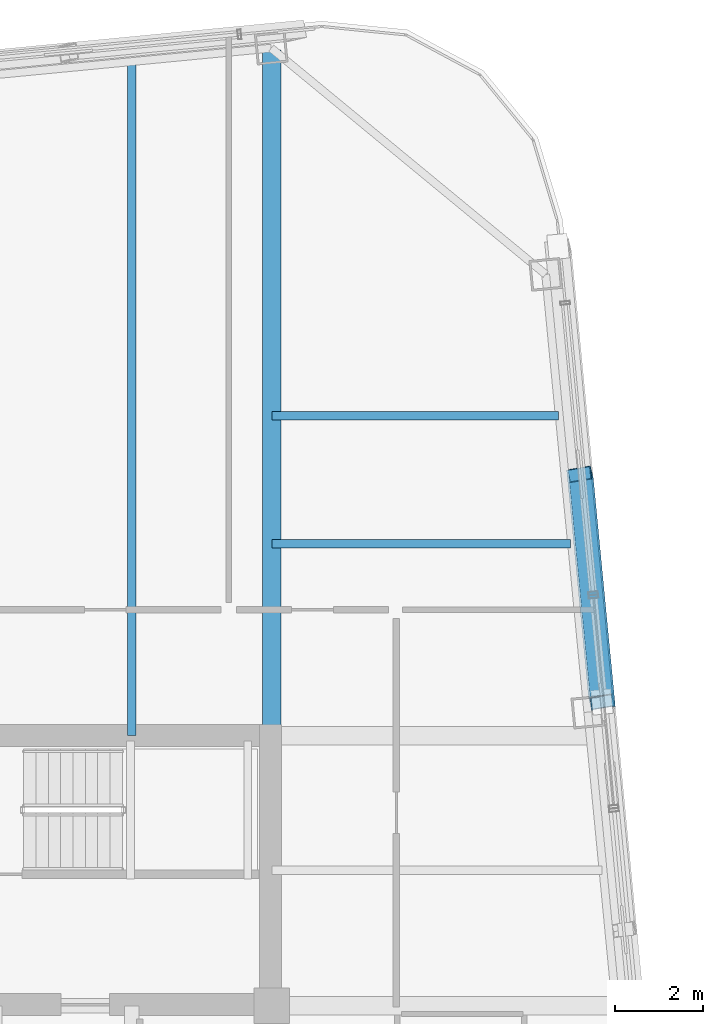
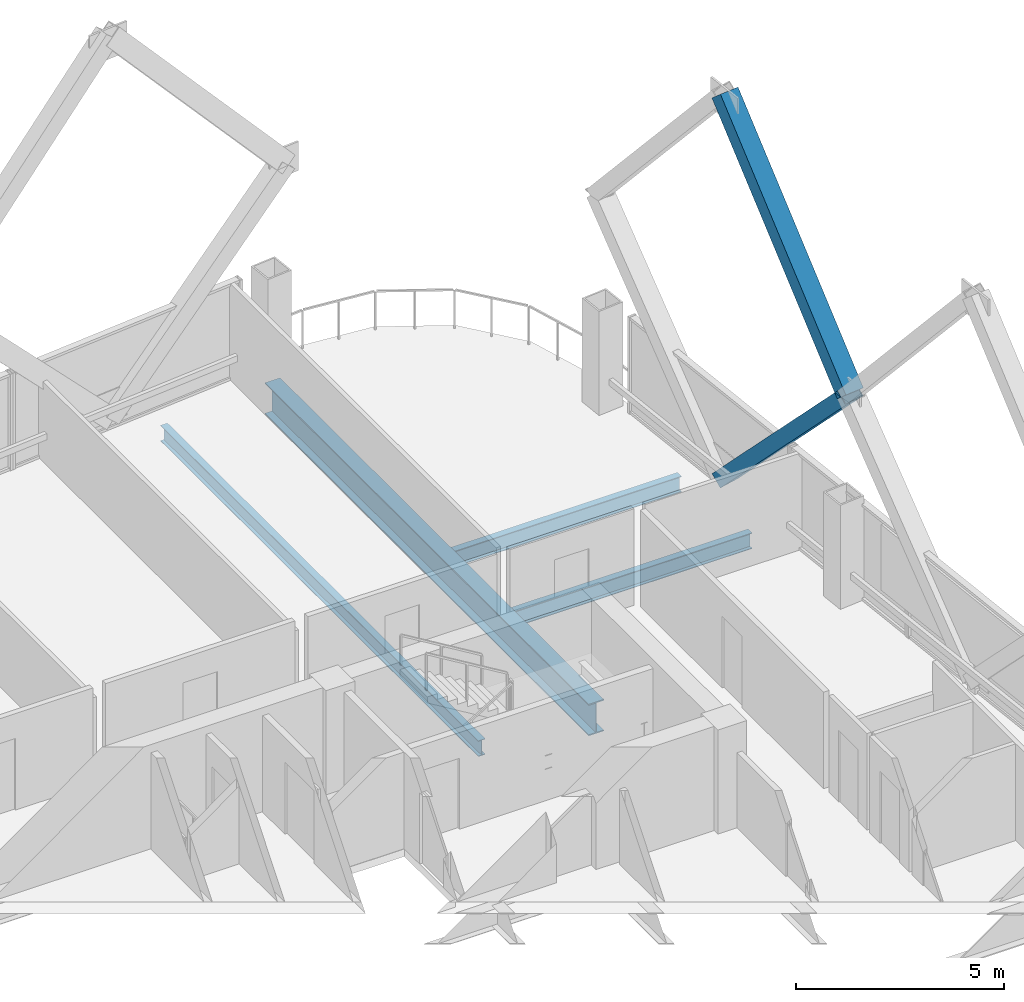
# One storey, part 25 of 34: 4 beams, 2 members.
"""IFC4 building model written with IfcOpenShell, lengths in metres."""

from ifc_helpers import new_model, si_unit, direction, frame, origin, origin_2d, place, context, subcontext, project, spatial, hollow_rectangle, i_section, extrude, material, material_profile, profile_set, type_object, element, save


model = new_model("IFC4")

# Units and contexts
model_context = context("Model", 3, precision=1e-05, world=origin(), true_north=direction((0.0, 1.0)))
body_context = subcontext(model_context, "Body", "Model", "MODEL_VIEW")
ifc_project = project(units=[si_unit("LENGTHUNIT", "METRE"), si_unit("AREAUNIT", "SQUARE_METRE"), si_unit("VOLUMEUNIT", "CUBIC_METRE"), si_unit("PLANEANGLEUNIT", "RADIAN"), si_unit("MASSUNIT", "GRAM", prefix="KILO")], contexts=[model_context])

# Site, building, storey
site_placement = place(None, origin())
site = spatial("IfcSite", under=ifc_project, at=site_placement, CompositionType="ELEMENT")
building_placement = place(site_placement, origin())
building = spatial("IfcBuilding", under=site, at=building_placement, Name="Qhalaya Broadcast Tower", CompositionType="ELEMENT")
storey_placement = place(building_placement, frame((0.0, 0.0, 168.35009765625)))
storey = spatial("IfcBuildingStorey", under=building, at=storey_placement, Name="L49", CompositionType="ELEMENT", Elevation=168.35009765625)

# Beams
ifc_material_1 = material(Name="Structural Steel ASTM A992 Grade 50", Category="steel")
ifc_material_profile_1 = material_profile(ifc_material_1, i_section(OverallWidth=0.19189453125, OverallDepth=0.462890625, WebThickness=0.010498046875, FlangeThickness=0.017578125, at=origin_2d()), Name="W18X60")
ifc_profile_set_1 = profile_set([ifc_material_profile_1], Name="Structural Steel ASTM A992 Grade 50")
beam_type_1 = type_object("IfcBeamType", Name="Composite Floor Joist J03", PredefinedType="JOIST", material=ifc_profile_set_1)
beam_1_placement = place(storey_placement, frame((6.199951171875, 9.949951171875, -0.45166015625), z_axis=(0.0, 1.0, 0.0), x_axis=(-1.0, 0.0, 0.0)))
element("IfcBeam", 1, at=beam_1_placement, inside=storey, type_object=beam_type_1, Name="L49 J03 L49-JNN5-1", PredefinedType="JOIST", context=body_context, shape_type="SweptSolid", body=[
    extrude(i_section(OverallWidth=0.19189453125, OverallDepth=0.462890625, WebThickness=0.010498046875, FlangeThickness=0.017578125, at=origin_2d()), origin(), (0.0, 0.0, 1.0), 15.25341796875),
])
beam_2_placement = place(storey_placement, frame((9.375, 14.300048828125, -0.45166015625), z_axis=(1.0, 0.0, 0.0), x_axis=(0.0, 1.0, 0.0)))
element("IfcBeam", 2, at=beam_2_placement, inside=storey, type_object=beam_type_1, Name="L49 J03 L49-JWE6E-1", PredefinedType="JOIST", context=body_context, shape_type="SweptSolid", body=[
    extrude(i_section(OverallWidth=0.19189453125, OverallDepth=0.462890625, WebThickness=0.010498046875, FlangeThickness=0.017578125, at=origin_2d()), origin(), (0.0, 0.0, 1.0), 6.7744140625),
])
beam_3_placement = place(storey_placement, frame((9.375, 17.199951171875, -0.45166015625), z_axis=(1.0, 0.0, 0.0), x_axis=(0.0, 1.0, 0.0)))
element("IfcBeam", 3, at=beam_3_placement, inside=storey, type_object=beam_type_1, Name="L49 J03 L49-JWE7E-1", PredefinedType="JOIST", context=body_context, shape_type="SweptSolid", body=[
    extrude(i_section(OverallWidth=0.19189453125, OverallDepth=0.462890625, WebThickness=0.010498046875, FlangeThickness=0.017578125, at=origin_2d()), origin(), (0.0, 0.0, 1.0), 6.4951171875),
])

# Members
ifc_material_2 = material(Name="Structural Steel ASTM A572 Grade 50", Category="steel")
ifc_material_profile_2 = material_profile(ifc_material_2, hollow_rectangle(XDim=0.39990234375, YDim=0.550048828125, WallThickness=0.02490234375, at=origin_2d()), Name="BOX 400x550x25")
ifc_profile_set_2 = profile_set([ifc_material_profile_2], Name="Structural Steel ASTM A572 Grade 50")
member_type = type_object("IfcMemberType", Name="Exoskeleton Diamond Diagonal Mid-High EX3", PredefinedType="BRACE", material=ifc_profile_set_2)
member_1_placement = place(storey_placement, frame((16.35986328125, 15.87060546875, 0.35986328125), z_axis=(0.066502760768, -0.690615647814, 0.72015790616), x_axis=(-0.164114880845, 0.704354882738, 0.690616033009)))
element("IfcMember", 4, at=member_1_placement, inside=storey, type_object=member_type, Name="B4 Exoskeleton Diamond Brace E3-D1", PredefinedType="BRACE", context=body_context, shape_type="SweptSolid", body=[
    extrude(hollow_rectangle(XDim=0.39990234375, YDim=0.550048828125, WallThickness=0.02490234375, at=origin_2d()), origin(), (0.0, 0.0, 1.0), 7.470703125),
])
member_2_placement = place(storey_placement, frame((16.856689453125, 10.711181640625, 5.739990234375), z_axis=(-0.063505717979, 0.659492058015, 0.749024198007), x_axis=(0.166869020586, -0.73295598109, 0.65949242585)))
element("IfcMember", 5, at=member_2_placement, inside=storey, type_object=member_type, Name="B4 Exoskeleton Diamond Brace E3-D3", PredefinedType="BRACE", context=body_context, shape_type="SweptSolid", body=[
    extrude(hollow_rectangle(XDim=0.39990234375, YDim=0.550048828125, WallThickness=0.02490234375, at=origin_2d()), origin(), (0.0, 0.0, 1.0), 7.8232421875),
])

# Beam
ifc_material_profile_3 = material_profile(ifc_material_1, i_section(OverallWidth=0.4189453125, OverallDepth=0.927001953125, WebThickness=0.019287109375, FlangeThickness=0.031982421875, at=origin_2d()), Name="W36X231")
ifc_profile_set_3 = profile_set([ifc_material_profile_3], Name="Structural Steel ASTM A992 Grade 50")
beam_type_2 = type_object("IfcBeamType", Name="Mid Block Primary Girder PG3", PredefinedType="USERDEFINED", material=ifc_profile_set_3)
beam_4_placement = place(storey_placement, frame((9.375, 9.949951171875, -0.68359375), z_axis=(0.0, 1.0, 0.0), x_axis=(-1.0, 0.0, 0.0)))
element("IfcBeam", 6, at=beam_4_placement, inside=storey, type_object=beam_type_2, Name="L49 PG3 L49-PGXN2-1", ObjectType="GIRDER", PredefinedType="USERDEFINED", context=body_context, shape_type="SweptSolid", body=[
    extrude(i_section(OverallWidth=0.4189453125, OverallDepth=0.927001953125, WebThickness=0.019287109375, FlangeThickness=0.031982421875, at=origin_2d()), origin(), (0.0, 0.0, 1.0), 15.541259765625),
])

save(model, "model.ifc")
